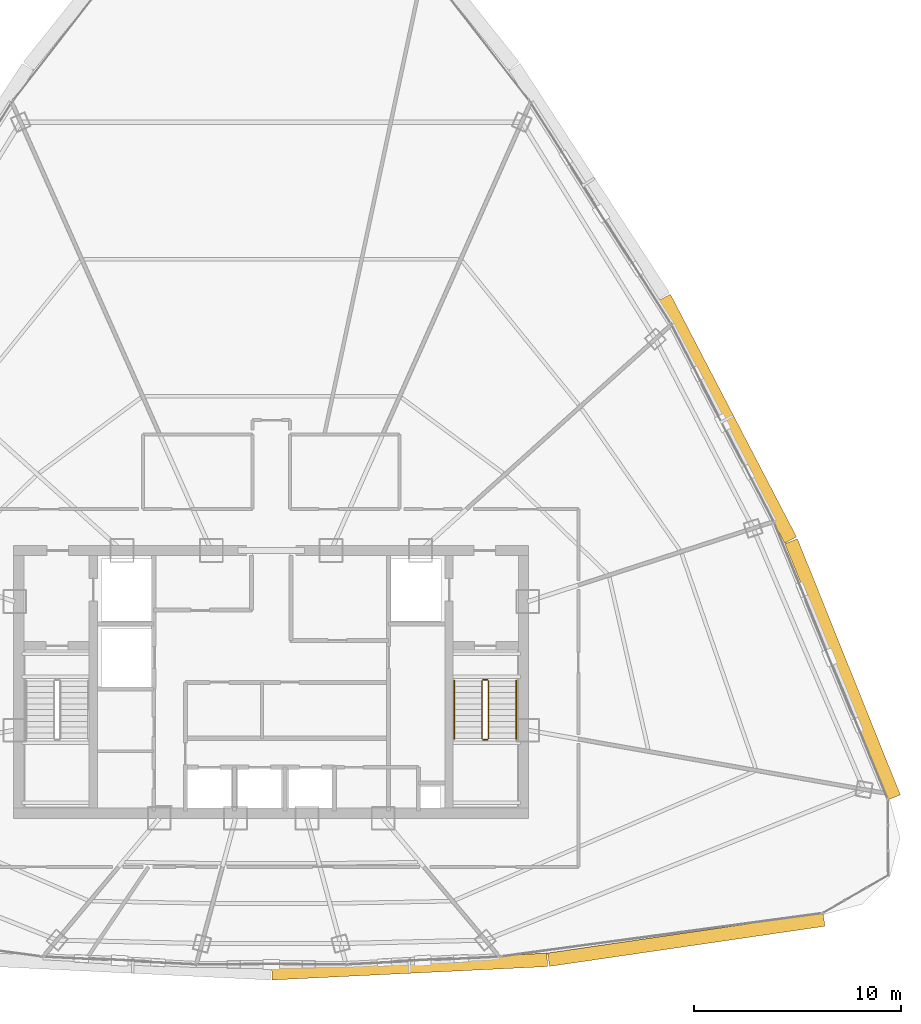
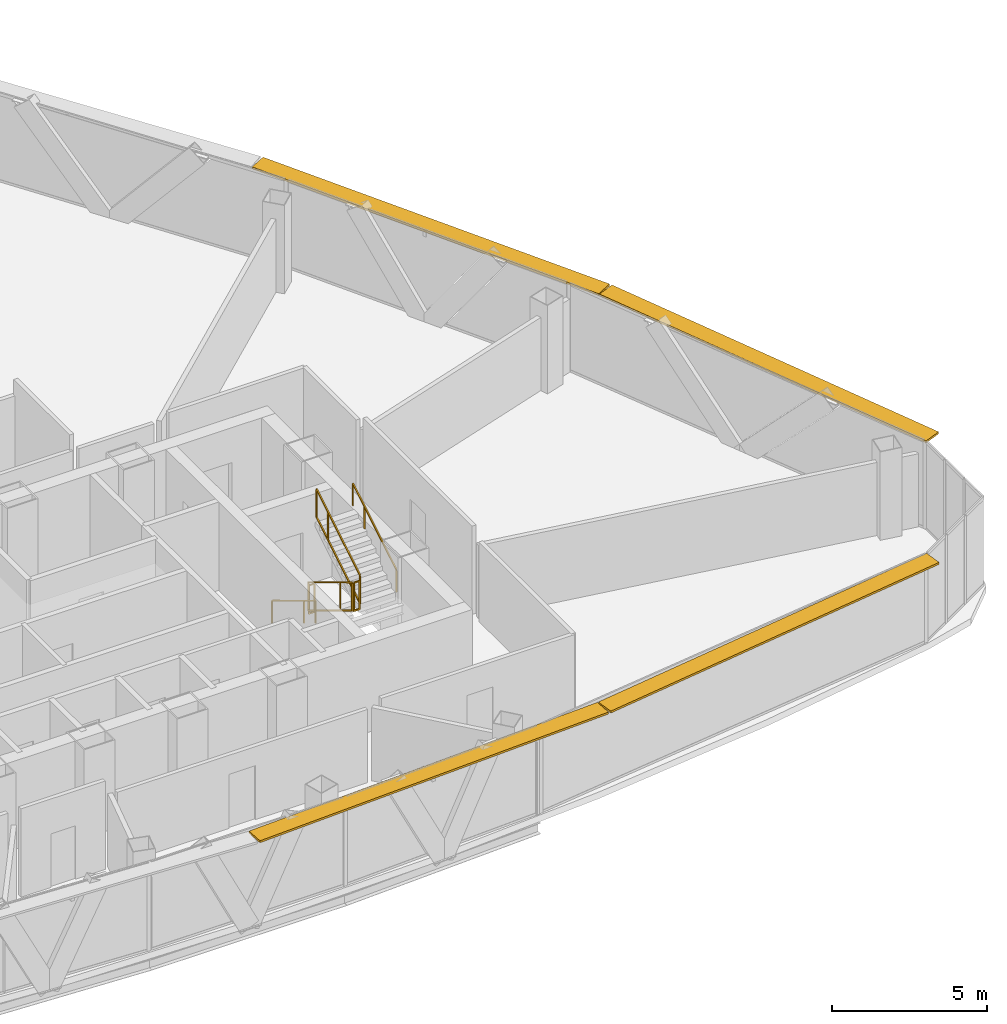
# One storey, part 32 of 33: 6 railings, 4 shading devices.
"""IFC4 building model written with IfcOpenShell, lengths in metres."""

from ifc_helpers import new_model, si_unit, direction, frame, origin, origin_2d, place, context, subcontext, project, spatial, rectangle, extrude, source, transform, mapped, material, layer, layer_set, type_object, element, save


model = new_model("IFC4")

# Units and contexts
model_context = context("Model", 3, precision=1e-05, world=origin(), true_north=direction((0.0, 1.0)))
body_context = subcontext(model_context, "Body", "Model", "MODEL_VIEW")
ifc_project = project(units=[si_unit("LENGTHUNIT", "METRE"), si_unit("AREAUNIT", "SQUARE_METRE"), si_unit("VOLUMEUNIT", "CUBIC_METRE"), si_unit("PLANEANGLEUNIT", "RADIAN"), si_unit("MASSUNIT", "GRAM", prefix="KILO"), si_unit("THERMODYNAMICTEMPERATUREUNIT", "KELVIN"), si_unit("POWERUNIT", "WATT")], contexts=[model_context])

# Site, building, storey
site_placement = place(None, origin())
site = spatial("IfcSite", under=ifc_project, at=site_placement, CompositionType="ELEMENT")
building_placement = place(site_placement, origin())
building = spatial("IfcBuilding", under=site, at=building_placement, Name="Yunzhuo Pagoda Commons", CompositionType="ELEMENT")
storey_placement = place(building_placement, frame((0.0, 0.0, 311.1298828125)))
storey = spatial("IfcBuildingStorey", under=building, at=storey_placement, Name="L78", CompositionType="ELEMENT", Elevation=311.1298828125)

# Railings
ifc_material = material(Name="Anodized aluminium 6063-T6", Category="aluminium")
railing_type_1 = type_object("IfcRailingType", Name="GR-ST2 Stair Well Guardrail 1160", PredefinedType="GUARDRAIL", material=ifc_material)
railing_1_placement = place(storey_placement, frame((58.199951171875, 33.89990234375, 0.169677734375)))
element("IfcRailing", 1, at=railing_1_placement, inside=storey, type_object=railing_type_1, Name="L78 ST2 stair guard 1", PredefinedType="GUARDRAIL", context=body_context, shape_type="SweptSolid", body=[
    extrude(rectangle(XDim=0.048095703125, YDim=0.048095703125, at=origin_2d()), frame((0.0, 0.0, 1.1259765625), z_axis=(0.0, -0.855373106579, 0.518012401918), x_axis=(1.0, 0.0, 0.0)), (0.0, 0.0, 1.0), 3.273193359375),
    extrude(rectangle(XDim=0.048095703125, YDim=0.048095703125, at=origin_2d()), frame((0.0, 0.0, 0.02392578125), z_axis=(0.0, -0.855373106579, 0.518012401918), x_axis=(1.0, 0.0, 0.0)), (0.0, 0.0, 1.0), 3.273193359375),
    extrude(rectangle(XDim=0.0419921875, YDim=0.0419921875, at=origin_2d()), origin(), (0.0, 0.0, 1.0), 1.101806640625),
    extrude(rectangle(XDim=0.0419921875, YDim=0.0419921875, at=origin_2d()), frame((0.0, -2.052978515625, 1.2431640625)), (0.0, 0.0, 1.0), 1.101806640625),
    extrude(rectangle(XDim=0.0419921875, YDim=0.0419921875, at=origin_2d()), frame((0.0, -2.7998046875, 1.695556640625)), (0.0, 0.0, 1.0), 1.101806640625),
])
railing_2_placement = place(storey_placement, frame((58.25, 31.050048828125, 1.865234375)))
element("IfcRailing", 2, at=railing_2_placement, inside=storey, type_object=railing_type_1, Name="L78 ST2 stair guard 2", PredefinedType="GUARDRAIL", context=body_context, shape_type="SweptSolid", body=[
    extrude(rectangle(XDim=0.048095703125, YDim=0.048095703125, at=origin_2d()), frame((0.0, 0.0, 1.1259765625), z_axis=(1.0, 0.0, 0.0), x_axis=(0.0, 1.0, 0.0)), (0.0, 0.0, 1.0), 0.199951171875),
    extrude(rectangle(XDim=0.048095703125, YDim=0.048095703125, at=origin_2d()), frame((0.0, 0.0, 0.02392578125), z_axis=(1.0, 0.0, 0.0), x_axis=(0.0, 1.0, 0.0)), (0.0, 0.0, 1.0), 0.199951171875),
    extrude(rectangle(XDim=0.0419921875, YDim=0.0419921875, at=origin_2d()), origin(), (0.0, 0.0, 1.0), 1.101806640625),
    extrude(rectangle(XDim=0.0419921875, YDim=0.0419921875, at=origin_2d()), frame((0.199951171875, 0.0, 0.0)), (0.0, 0.0, 1.0), 1.101806640625),
])
railing_3_placement = place(storey_placement, frame((58.5, 31.10009765625, 2.03466796875)))
element("IfcRailing", 3, at=railing_3_placement, inside=storey, type_object=railing_type_1, Name="L78 ST2 stair guard 3", PredefinedType="GUARDRAIL", context=body_context, shape_type="SweptSolid", body=[
    extrude(rectangle(XDim=0.048095703125, YDim=0.048095703125, at=origin_2d()), frame((0.0, 0.0, 1.1259765625), z_axis=(0.0, 0.855373106579, 0.518012401918), x_axis=(-1.0, 0.0, 0.0)), (0.0, 0.0, 1.0), 3.273193359375),
    extrude(rectangle(XDim=0.048095703125, YDim=0.048095703125, at=origin_2d()), frame((0.0, 0.0, 0.02392578125), z_axis=(0.0, 0.855373106579, 0.518012401918), x_axis=(-1.0, 0.0, 0.0)), (0.0, 0.0, 1.0), 3.273193359375),
    extrude(rectangle(XDim=0.0419921875, YDim=0.0419921875, at=origin_2d()), origin(), (0.0, 0.0, 1.0), 1.101806640625),
    extrude(rectangle(XDim=0.0419921875, YDim=0.0419921875, at=origin_2d()), frame((0.0, 2.052978515625, 1.2431640625)), (0.0, 0.0, 1.0), 1.101806640625),
    extrude(rectangle(XDim=0.0419921875, YDim=0.0419921875, at=origin_2d()), frame((0.0, 2.7998046875, 1.695556640625)), (0.0, 0.0, 1.0), 1.101806640625),
])
railing_4_placement = place(storey_placement, frame((58.25, 33.949951171875, 0.0)))
element("IfcRailing", 4, at=railing_4_placement, inside=storey, type_object=railing_type_1, Name="L78 ST2 stair guard 4", PredefinedType="GUARDRAIL", context=body_context, shape_type="SweptSolid", body=[
    extrude(rectangle(XDim=0.048095703125, YDim=0.048095703125, at=origin_2d()), frame((0.0, 0.0, 1.1259765625), z_axis=(1.0, 0.0, 0.0), x_axis=(0.0, 1.0, 0.0)), (0.0, 0.0, 1.0), 0.199951171875),
    extrude(rectangle(XDim=0.048095703125, YDim=0.048095703125, at=origin_2d()), frame((0.0, 0.0, 0.02392578125), z_axis=(1.0, 0.0, 0.0), x_axis=(0.0, 1.0, 0.0)), (0.0, 0.0, 1.0), 0.199951171875),
    extrude(rectangle(XDim=0.0419921875, YDim=0.0419921875, at=origin_2d()), origin(), (0.0, 0.0, 1.0), 1.101806640625),
    extrude(rectangle(XDim=0.0419921875, YDim=0.0419921875, at=origin_2d()), frame((0.199951171875, 0.0, 0.0)), (0.0, 0.0, 1.0), 1.101806640625),
])
railing_type_2 = type_object("IfcRailingType", Name="HR-ST2 Stair Handrail 900", PredefinedType="HANDRAIL", material=ifc_material)
railing_5_placement = place(storey_placement, frame((56.85009765625, 33.89990234375, 0.169677734375)))
element("IfcRailing", 5, at=railing_5_placement, inside=storey, type_object=railing_type_2, Name="L78 ST2 stair handrail 1", PredefinedType="HANDRAIL", context=body_context, shape_type="SweptSolid", body=[
    extrude(rectangle(XDim=0.048095703125, YDim=0.048095703125, at=origin_2d()), frame((0.0, 0.0, 0.8759765625), z_axis=(0.0, -0.855373106579, 0.518012401918), x_axis=(1.0, 0.0, 0.0)), (0.0, 0.0, 1.0), 3.273193359375),
    extrude(rectangle(XDim=0.0419921875, YDim=0.0419921875, at=origin_2d()), origin(), (0.0, 0.0, 1.0), 0.851806640625),
    extrude(rectangle(XDim=0.0419921875, YDim=0.0419921875, at=origin_2d()), frame((0.0, -2.052978515625, 1.2431640625)), (0.0, 0.0, 1.0), 0.851806640625),
    extrude(rectangle(XDim=0.0419921875, YDim=0.0419921875, at=origin_2d()), frame((0.0, -2.7998046875, 1.695556640625)), (0.0, 0.0, 1.0), 0.851806640625),
])
railing_6_placement = place(storey_placement, frame((59.85009765625, 31.10009765625, 2.03466796875)))
element("IfcRailing", 6, at=railing_6_placement, inside=storey, type_object=railing_type_2, Name="L78 ST2 stair handrail 2", PredefinedType="HANDRAIL", context=body_context, shape_type="SweptSolid", body=[
    extrude(rectangle(XDim=0.048095703125, YDim=0.048095703125, at=origin_2d()), frame((0.0, 0.0, 0.8759765625), z_axis=(0.0, 0.855373106579, 0.518012401918), x_axis=(-1.0, 0.0, 0.0)), (0.0, 0.0, 1.0), 3.273193359375),
    extrude(rectangle(XDim=0.0419921875, YDim=0.0419921875, at=origin_2d()), origin(), (0.0, 0.0, 1.0), 0.851806640625),
    extrude(rectangle(XDim=0.0419921875, YDim=0.0419921875, at=origin_2d()), frame((0.0, 2.052978515625, 1.2431640625)), (0.0, 0.0, 1.0), 0.851806640625),
    extrude(rectangle(XDim=0.0419921875, YDim=0.0419921875, at=origin_2d()), frame((0.0, 2.7998046875, 1.695556640625)), (0.0, 0.0, 1.0), 0.851806640625),
])

# Shading devices
ifc_layer = layer(ifc_material, 0.080078125)
ifc_layer_set = layer_set([ifc_layer], Name="Anodized aluminium 6063-T6")
shading_device_type = type_object("IfcShadingDeviceType", Name="SH-SUN1 Pagoda Horizontal Sunshade Eave 650", PredefinedType="USERDEFINED", material=ifc_layer_set)
shared_shape_1 = source(origin(), body_context, "Body", "SweptSolid", [
    extrude(rectangle(XDim=13.33251953125, YDim=0.64990234375, at=origin_2d()), origin(), (0.0, 0.0, 1.0), 0.080078125),
])
shading_device_1_placement = place(storey_placement, frame((54.68994140625, 20.081298828125, 3.39013671875), z_axis=(0.0, 0.0, 1.0), x_axis=(0.998818043775, 0.04860571396, 0.0)))
element("IfcShadingDevice", 7, at=shading_device_1_placement, inside=storey, type_object=shading_device_type, Name="L78 horizontal pagoda sunshade eave F1.3", ObjectType="SUNSHADE", PredefinedType="USERDEFINED", context=body_context, shape_type="MappedRepresentation", body=[
    mapped(shared_shape_1, transform((0.0, 0.0, 0.0), scale=1.0)),
])
shared_shape_2 = source(origin(), body_context, "Body", "SweptSolid", [
    extrude(rectangle(XDim=13.45849609375, YDim=0.64990234375, at=origin_2d()), origin(), (0.0, 0.0, 1.0), 0.080078125),
])
shading_device_2_placement = place(storey_placement, frame((68.06982421875, 21.38330078125, 3.39013671875), z_axis=(0.0, 0.0, 1.0), x_axis=(0.989510666697, 0.144459823108, 0.0)))
element("IfcShadingDevice", 8, at=shading_device_2_placement, inside=storey, type_object=shading_device_type, Name="L78 horizontal pagoda sunshade eave F1.4", ObjectType="SUNSHADE", PredefinedType="USERDEFINED", context=body_context, shape_type="MappedRepresentation", body=[
    mapped(shared_shape_2, transform((0.0, 0.0, 0.0), scale=1.0)),
])
shared_shape_3 = source(origin(), body_context, "Body", "SweptSolid", [
    extrude(rectangle(XDim=13.35009765625, YDim=0.64990234375, at=origin_2d()), origin(), (0.0, 0.0, 1.0), 0.080078125),
])
shading_device_3_placement = place(storey_placement, frame((75.629638671875, 34.454345703125, 3.39013671875), z_axis=(0.0, 0.0, 1.0), x_axis=(-0.372987782576, 0.927836253899, 0.0)))
element("IfcShadingDevice", 9, at=shading_device_3_placement, inside=storey, type_object=shading_device_type, Name="L78 horizontal pagoda sunshade eave F2.1", ObjectType="SUNSHADE", PredefinedType="USERDEFINED", context=body_context, shape_type="MappedRepresentation", body=[
    mapped(shared_shape_3, transform((0.0, 0.0, 0.0), scale=1.0)),
])
shared_shape_4 = source(origin(), body_context, "Body", "SweptSolid", [
    extrude(rectangle(XDim=13.223388671875, YDim=0.64990234375, at=origin_2d()), origin(), (0.0, 0.0, 1.0), 0.080078125),
])
shading_device_4_placement = place(storey_placement, frame((70.064208984375, 46.571533203125, 3.39013671875), z_axis=(0.0, 0.0, 1.0), x_axis=(-0.461206683033, 0.88729273384, 0.0)))
element("IfcShadingDevice", 10, at=shading_device_4_placement, inside=storey, type_object=shading_device_type, Name="L78 horizontal pagoda sunshade eave F2.2", ObjectType="SUNSHADE", PredefinedType="USERDEFINED", context=body_context, shape_type="MappedRepresentation", body=[
    mapped(shared_shape_4, transform((0.0, 0.0, 0.0), scale=1.0)),
])

save(model, "model.ifc")
